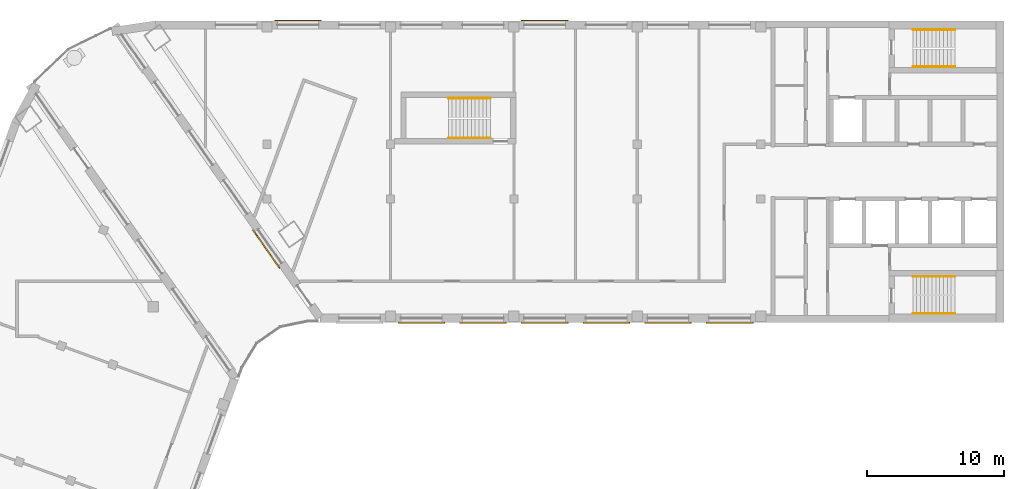
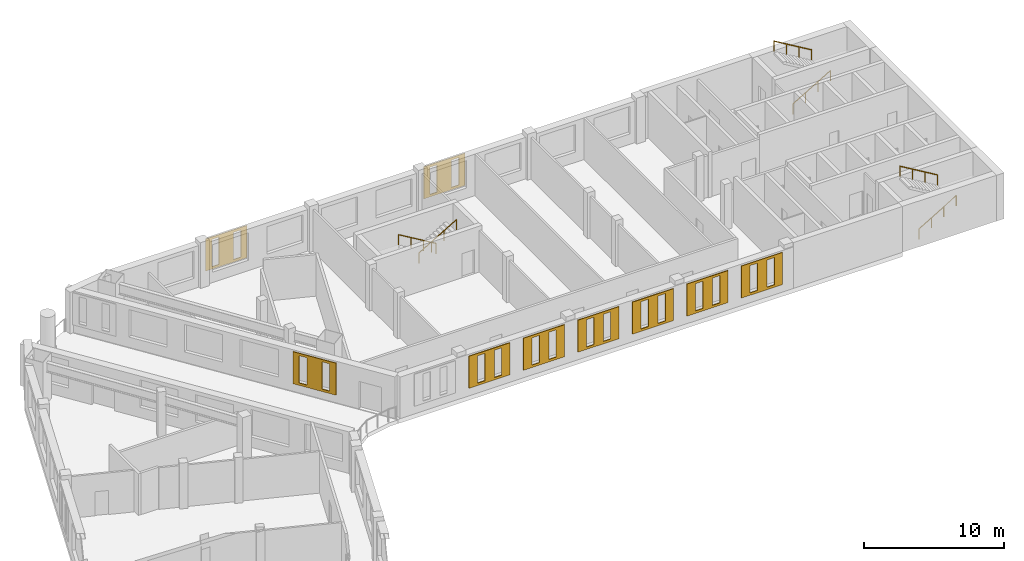
# One storey, part 9 of 11: 9 coverings, 6 railings.
"""IFC4 building model written with IfcOpenShell, lengths in metres."""

from ifc_helpers import new_model, si_unit, direction, frame, origin, origin_2d, place, context, subcontext, project, spatial, polyline, circle, outline, extrude, material, material_profile, profile_set, type_object, element, save


model = new_model("IFC4")

# Units and contexts
model_context = context("Model", 3, precision=1e-05, world=origin(), true_north=direction((0.0, 1.0)))
body_context = subcontext(model_context, "Body", "Model", "MODEL_VIEW")
ifc_project = project(units=[si_unit("LENGTHUNIT", "METRE"), si_unit("AREAUNIT", "SQUARE_METRE"), si_unit("VOLUMEUNIT", "CUBIC_METRE"), si_unit("PLANEANGLEUNIT", "RADIAN"), si_unit("MASSUNIT", "GRAM", prefix="KILO")], contexts=[model_context])

# Site, building, storey
site_placement = place(None, origin())
site = spatial("IfcSite", under=ifc_project, at=site_placement, CompositionType="ELEMENT")
building_placement = place(site_placement, origin())
building = spatial("IfcBuilding", under=site, at=building_placement, Name="Skarvind Civic Tower", CompositionType="ELEMENT")
storey_placement = place(building_placement, frame((0.0, 0.0, 212.0)))
storey = spatial("IfcBuildingStorey", under=building, at=storey_placement, Name="L50", CompositionType="ELEMENT", Elevation=212.0)

# Railings
ifc_material_1 = material(Name="Painted steel handrail", Category="steel")
railing_type = type_object("IfcRailingType", Name="Stair handrail 900", PredefinedType="HANDRAIL", material=ifc_material_1)
railing_1_placement = place(storey_placement, frame((101.35009765625, 135.64990234375, 0.166748046875)))
element("IfcRailing", 1, at=railing_1_placement, inside=storey, type_object=railing_type, Name="Stair handrail", PredefinedType="HANDRAIL", context=body_context, shape_type="SweptSolid", body=[
    extrude(circle(Radius=0.02392578125, at=origin_2d()), frame((0.0, 0.0, 0.8759765625), z_axis=(0.859290745958, 0.0, 0.51148745235), x_axis=(0.0, 1.0, 0.0)), (0.0, 0.0, 1.0), 3.584228515625),
    extrude(circle(Radius=0.02099609375, at=origin_2d()), origin(), (0.0, 0.0, 1.0), 0.851806640625),
    extrude(circle(Radius=0.02099609375, at=origin_2d()), frame((1.026611328125, 0.0, 0.611083984375)), (0.0, 0.0, 1.0), 0.851806640625),
    extrude(circle(Radius=0.02099609375, at=origin_2d()), frame((2.05322265625, 0.0, 1.22216796875)), (0.0, 0.0, 1.0), 0.851806640625),
    extrude(circle(Radius=0.02099609375, at=origin_2d()), frame((3.079833984375, 0.0, 1.833251953125)), (0.0, 0.0, 1.0), 0.851806640625),
])
railing_2_placement = place(storey_placement, frame((104.429931640625, 138.35009765625, 2.166748046875)))
element("IfcRailing", 2, at=railing_2_placement, inside=storey, type_object=railing_type, Name="Stair handrail", PredefinedType="HANDRAIL", context=body_context, shape_type="SweptSolid", body=[
    extrude(circle(Radius=0.02392578125, at=origin_2d()), frame((0.0, 0.0, 0.8759765625), z_axis=(-0.859290745958, 0.0, 0.51148745235), x_axis=(0.0, -1.0, 0.0)), (0.0, 0.0, 1.0), 3.584228515625),
    extrude(circle(Radius=0.02099609375, at=origin_2d()), origin(), (0.0, 0.0, 1.0), 0.851806640625),
    extrude(circle(Radius=0.02099609375, at=origin_2d()), frame((-1.026611328125, 0.0, 0.611083984375)), (0.0, 0.0, 1.0), 0.851806640625),
    extrude(circle(Radius=0.02099609375, at=origin_2d()), frame((-2.05322265625, 0.0, 1.22216796875)), (0.0, 0.0, 1.0), 0.851806640625),
    extrude(circle(Radius=0.02099609375, at=origin_2d()), frame((-3.079833984375, 0.0, 1.833251953125)), (0.0, 0.0, 1.0), 0.851806640625),
])
railing_3_placement = place(storey_placement, frame((101.35009765625, 117.64990234375, 0.166748046875)))
element("IfcRailing", 3, at=railing_3_placement, inside=storey, type_object=railing_type, Name="Stair handrail", PredefinedType="HANDRAIL", context=body_context, shape_type="SweptSolid", body=[
    extrude(circle(Radius=0.02392578125, at=origin_2d()), frame((0.0, 0.0, 0.8759765625), z_axis=(0.859290745958, 0.0, 0.51148745235), x_axis=(0.0, 1.0, 0.0)), (0.0, 0.0, 1.0), 3.584228515625),
    extrude(circle(Radius=0.02099609375, at=origin_2d()), origin(), (0.0, 0.0, 1.0), 0.851806640625),
    extrude(circle(Radius=0.02099609375, at=origin_2d()), frame((1.026611328125, 0.0, 0.611083984375)), (0.0, 0.0, 1.0), 0.851806640625),
    extrude(circle(Radius=0.02099609375, at=origin_2d()), frame((2.05322265625, 0.0, 1.22216796875)), (0.0, 0.0, 1.0), 0.851806640625),
    extrude(circle(Radius=0.02099609375, at=origin_2d()), frame((3.079833984375, 0.0, 1.833251953125)), (0.0, 0.0, 1.0), 0.851806640625),
])
railing_4_placement = place(storey_placement, frame((104.429931640625, 120.35009765625, 2.166748046875)))
element("IfcRailing", 4, at=railing_4_placement, inside=storey, type_object=railing_type, Name="Stair handrail", PredefinedType="HANDRAIL", context=body_context, shape_type="SweptSolid", body=[
    extrude(circle(Radius=0.02392578125, at=origin_2d()), frame((0.0, 0.0, 0.8759765625), z_axis=(-0.859290745958, 0.0, 0.51148745235), x_axis=(0.0, -1.0, 0.0)), (0.0, 0.0, 1.0), 3.584228515625),
    extrude(circle(Radius=0.02099609375, at=origin_2d()), origin(), (0.0, 0.0, 1.0), 0.851806640625),
    extrude(circle(Radius=0.02099609375, at=origin_2d()), frame((-1.026611328125, 0.0, 0.611083984375)), (0.0, 0.0, 1.0), 0.851806640625),
    extrude(circle(Radius=0.02099609375, at=origin_2d()), frame((-2.05322265625, 0.0, 1.22216796875)), (0.0, 0.0, 1.0), 0.851806640625),
    extrude(circle(Radius=0.02099609375, at=origin_2d()), frame((-3.079833984375, 0.0, 1.833251953125)), (0.0, 0.0, 1.0), 0.851806640625),
])
railing_5_placement = place(storey_placement, frame((70.550048828125, 133.35009765625, 0.166748046875)))
element("IfcRailing", 5, at=railing_5_placement, inside=storey, type_object=railing_type, Name="Stair handrail", PredefinedType="HANDRAIL", context=body_context, shape_type="SweptSolid", body=[
    extrude(circle(Radius=0.02392578125, at=origin_2d()), frame((0.0, 0.0, 0.8759765625), z_axis=(-0.859308565015, 0.0, 0.511457515432), x_axis=(0.0, -1.0, 0.0)), (0.0, 0.0, 1.0), 3.58447265625),
    extrude(circle(Radius=0.02099609375, at=origin_2d()), origin(), (0.0, 0.0, 1.0), 0.851806640625),
    extrude(circle(Radius=0.02099609375, at=origin_2d()), frame((-1.026611328125, 0.0, 0.611083984375)), (0.0, 0.0, 1.0), 0.851806640625),
    extrude(circle(Radius=0.02099609375, at=origin_2d()), frame((-2.053466796875, 0.0, 1.22216796875)), (0.0, 0.0, 1.0), 0.851806640625),
    extrude(circle(Radius=0.02099609375, at=origin_2d()), frame((-3.080078125, 0.0, 1.833251953125)), (0.0, 0.0, 1.0), 0.851806640625),
])
railing_6_placement = place(storey_placement, frame((67.469970703125, 130.449951171875, 2.166748046875)))
element("IfcRailing", 6, at=railing_6_placement, inside=storey, type_object=railing_type, Name="Stair handrail", PredefinedType="HANDRAIL", context=body_context, shape_type="SweptSolid", body=[
    extrude(circle(Radius=0.02392578125, at=origin_2d()), frame((0.0, 0.0, 0.8759765625), z_axis=(0.859308565015, 0.0, 0.511457515432), x_axis=(0.0, 1.0, 0.0)), (0.0, 0.0, 1.0), 3.58447265625),
    extrude(circle(Radius=0.02099609375, at=origin_2d()), origin(), (0.0, 0.0, 1.0), 0.851806640625),
    extrude(circle(Radius=0.02099609375, at=origin_2d()), frame((1.026611328125, 0.0, 0.611083984375)), (0.0, 0.0, 1.0), 0.851806640625),
    extrude(circle(Radius=0.02099609375, at=origin_2d()), frame((2.053466796875, 0.0, 1.22216796875)), (0.0, 0.0, 1.0), 0.851806640625),
    extrude(circle(Radius=0.02099609375, at=origin_2d()), frame((3.080078125, 0.0, 1.833251953125)), (0.0, 0.0, 1.0), 0.851806640625),
])

# Coverings
ifc_material_2 = material(Name="Terracotta", Category="masonry")
ifc_material_profile_1 = material_profile(ifc_material_2, outline(polyline([(-1.699951171875, -1.39990234375), (1.699951171875, -1.39990234375), (1.699951171875, 1.39990234375), (-1.699951171875, 1.39990234375), (-1.699951171875, -1.39990234375)]), holes=[polyline([(-1.0, -1.18994140625), (-0.39990234375, -1.18994140625), (-0.39990234375, 1.18994140625), (-1.0, 1.18994140625), (-1.0, -1.18994140625)]), polyline([(0.39990234375, -1.18994140625), (1.0, -1.18994140625), (1.0, 1.18994140625), (0.39990234375, 1.18994140625), (0.39990234375, -1.18994140625)])]), Name="TERRACOTTA SCREEN 3400 x 2800, SLIT PITCH 1400")
ifc_profile_set_1 = profile_set([ifc_material_profile_1], Name="Terracotta")
covering_type_1 = type_object("IfcCoveringType", Name="TERRACOTTA SCREEN 3400 x 2800, SLIT PITCH 1400", PredefinedType="CLADDING", material=ifc_profile_set_1)
for number, where, z_axis, x_axis, name in (
    (7, (88.0, 117.0, 2.10009765625), (0.0, -1.0, 0.0), (1.0, 0.0, 0.0), "TERRACOTTA SCREEN"),
    (8, (83.5, 117.0, 2.10009765625), (0.0, -1.0, 0.0), (1.0, 0.0, 0.0), "TERRACOTTA SCREEN"),
    (9, (79.0, 117.0, 2.10009765625), (0.0, -1.0, 0.0), (1.0, 0.0, 0.0), "TERRACOTTA SCREEN"),
    (10, (74.5, 117.0, 2.10009765625), (0.0, -1.0, 0.0), (1.0, 0.0, 0.0), "TERRACOTTA SCREEN"),
    (11, (70.0, 117.0, 2.10009765625), (0.0, -1.0, 0.0), (1.0, 0.0, 0.0), "TERRACOTTA SCREEN"),
    (12, (65.5, 117.0, 2.10009765625), (0.0, -1.0, 0.0), (1.0, 0.0, 0.0), "TERRACOTTA SCREEN"),
):
    element("IfcCovering", number, at=place(storey_placement, frame(where, z_axis=z_axis, x_axis=x_axis)), inside=storey, type_object=covering_type_1, Name=name, PredefinedType="CLADDING", context=body_context, shape_type="SweptSolid", body=[
        extrude(outline(polyline([(-1.699951171875, -1.39990234375), (1.699951171875, -1.39990234375), (1.699951171875, 1.39990234375), (-1.699951171875, 1.39990234375), (-1.699951171875, -1.39990234375)]), holes=[polyline([(-1.0, -1.18994140625), (-0.39990234375, -1.18994140625), (-0.39990234375, 1.18994140625), (-1.0, 1.18994140625), (-1.0, -1.18994140625)]), polyline([(0.39990234375, -1.18994140625), (1.0, -1.18994140625), (1.0, 1.18994140625), (0.39990234375, 1.18994140625), (0.39990234375, -1.18994140625)])]), origin(), (0.0, 0.0, 1.0), 0.06005859375),
    ])
ifc_material_profile_2 = material_profile(ifc_material_2, outline(polyline([(-1.699951171875, -1.39990234375), (1.699951171875, -1.39990234375), (1.699951171875, 1.39990234375), (-1.699951171875, 1.39990234375), (-1.699951171875, -1.39990234375)]), holes=[polyline([(-1.199951171875, -1.18994140625), (-0.60009765625, -1.18994140625), (-0.60009765625, 1.18994140625), (-1.199951171875, 1.18994140625), (-1.199951171875, -1.18994140625)]), polyline([(0.60009765625, -1.18994140625), (1.199951171875, -1.18994140625), (1.199951171875, 1.18994140625), (0.60009765625, 1.18994140625), (0.60009765625, -1.18994140625)])]), Name="TERRACOTTA SCREEN 3400 x 2800, SLIT PITCH 1800")
ifc_profile_set_2 = profile_set([ifc_material_profile_2], Name="Terracotta")
covering_type_2 = type_object("IfcCoveringType", Name="TERRACOTTA SCREEN 3400 x 2800, SLIT PITCH 1800", PredefinedType="CLADDING", material=ifc_profile_set_2)
for number, where, z_axis, x_axis, name in (
    (13, (54.20703125, 122.38134765625, 2.10009765625), (-0.819994031533, -0.572372071515, 0.0), (0.572372071515, -0.819994031533, 0.0), "TERRACOTTA SCREEN"),
    (14, (56.5, 139.0, 2.10009765625), (0.0, 1.0, 0.0), (-1.0, 0.0, 0.0), "TERRACOTTA SCREEN"),
    (15, (74.5, 139.0, 2.10009765625), (0.0, 1.0, 0.0), (-1.0, 0.0, 0.0), "TERRACOTTA SCREEN"),
):
    element("IfcCovering", number, at=place(storey_placement, frame(where, z_axis=z_axis, x_axis=x_axis)), inside=storey, type_object=covering_type_2, Name=name, PredefinedType="CLADDING", context=body_context, shape_type="SweptSolid", body=[
        extrude(outline(polyline([(-1.699951171875, -1.39990234375), (1.699951171875, -1.39990234375), (1.699951171875, 1.39990234375), (-1.699951171875, 1.39990234375), (-1.699951171875, -1.39990234375)]), holes=[polyline([(-1.199951171875, -1.18994140625), (-0.60009765625, -1.18994140625), (-0.60009765625, 1.18994140625), (-1.199951171875, 1.18994140625), (-1.199951171875, -1.18994140625)]), polyline([(0.60009765625, -1.18994140625), (1.199951171875, -1.18994140625), (1.199951171875, 1.18994140625), (0.60009765625, 1.18994140625), (0.60009765625, -1.18994140625)])]), origin(), (0.0, 0.0, 1.0), 0.06005859375),
    ])

save(model, "model.ifc")
